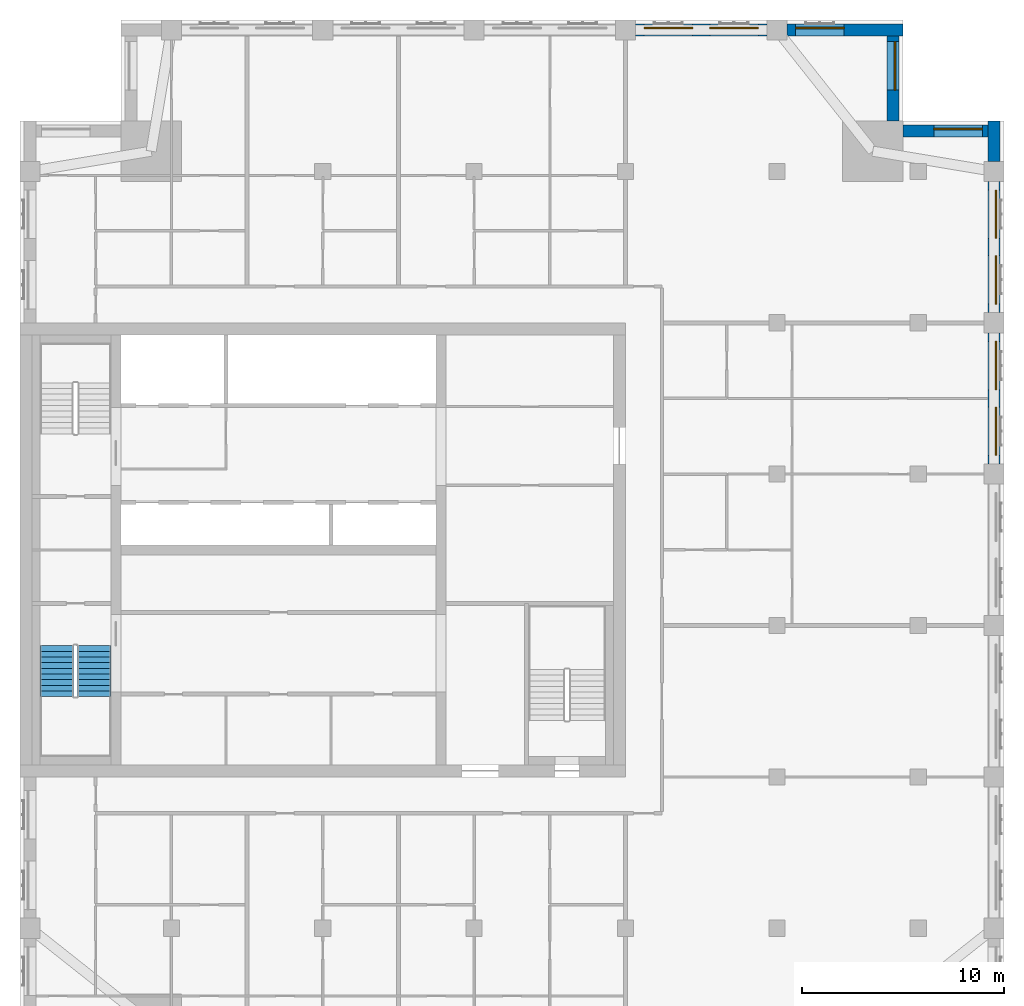
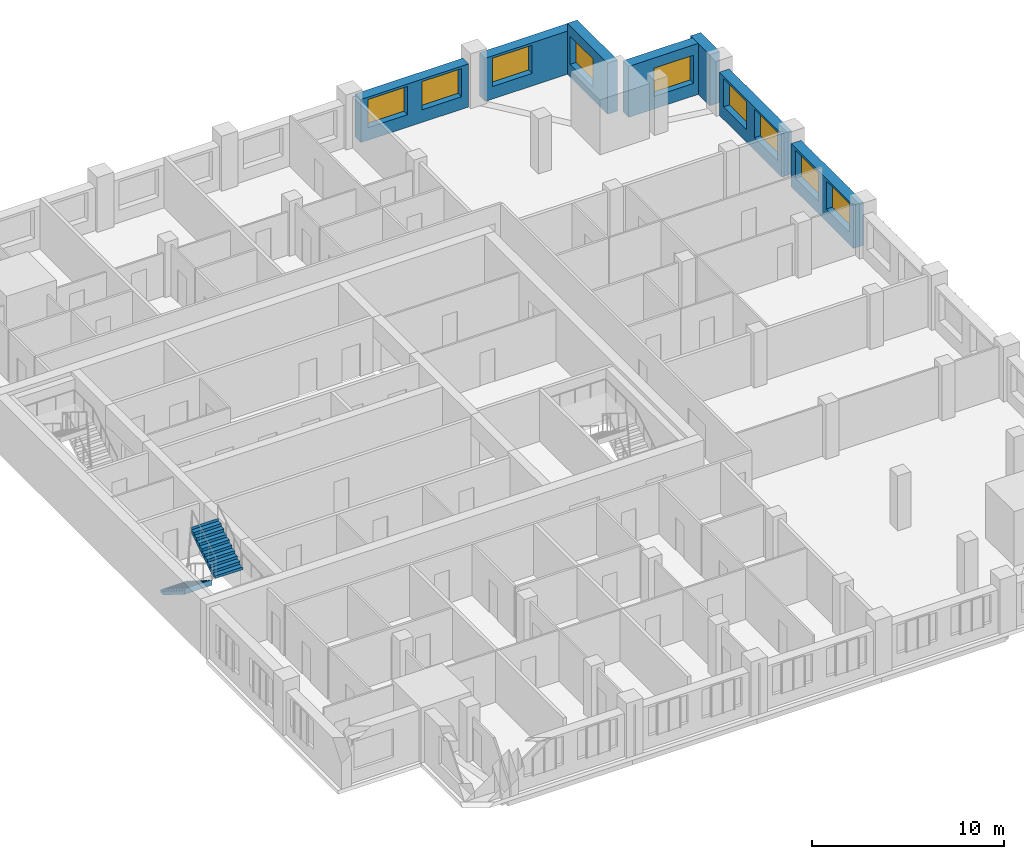
# One storey, part 8 of 10: 9 windows, 7 walls, 2 stair flights, 9 openings, 1 element without a shape of its own.
"""IFC4 building model written with IfcOpenShell, lengths in metres."""

import ifcopenshell
import ifcopenshell.guid

model = None  # the IFC model being written
_history = None  # IfcOwnerHistory: only IFC2X3 demands one
_inside = {}  # id of a spatial element -> (the spatial element, [elements in it])
_under = {}  # id of a project, library or spatial element -> (it, [spatial elements below it])
_declared = {}  # id of a project -> (the project, [libraries it declares])
_typed = {}  # id of a type object -> (the type object, [elements of that type])
_made_of = {}  # id of a material, layer set ... -> (it, [elements and type objects made of it])


def new_model(schema):
    """Start an empty IFC model of exactly this schema.

    Asked for "IFC4X3", IfcOpenShell would pick the latest addendum, in which some entities
    have other attributes; the version numbers below select the first issue.
    IFC2X3 requires an IfcOwnerHistory on every rooted entity: one is made here for all.
    """
    global model, _history
    if schema == "IFC4X3":
        model = ifcopenshell.file(schema_version=(4, 3, 0, 0))
    else:
        model = ifcopenshell.file(schema=schema)
    _inside.clear()
    _under.clear()
    _declared.clear()
    _typed.clear()
    _made_of.clear()
    _history = None
    if model.schema == "IFC2X3":
        org = make("IfcOrganization", Name="unknown")
        user = make(
            "IfcPersonAndOrganization",
            ThePerson=make("IfcPerson", FamilyName="unknown"),
            TheOrganization=org,
        )
        app = make(
            "IfcApplication",
            ApplicationDeveloper=org,
            Version="unknown",
            ApplicationFullName="unknown",
            ApplicationIdentifier="unknown",
        )
        _history = make(
            "IfcOwnerHistory",
            OwningUser=user,
            OwningApplication=app,
            ChangeAction="ADDED",
            CreationDate=0,
        )
    return model


def make(cls, **values):
    """One entity of the class cls with the attributes given. An attribute that is None is left unset."""
    return model.create_entity(
        cls, **{name: value for name, value in values.items() if value is not None}
    )


def rooted(cls, **values):
    """An entity with a GlobalId (a new one), such as an element, a storey or a relation."""
    return make(cls, GlobalId=ifcopenshell.guid.new(), OwnerHistory=_history, **values)


def si_unit(unit_type, name, prefix=None):
    """IfcSIUnit, for example si_unit("LENGTHUNIT", "METRE", prefix="MILLI")."""
    return make("IfcSIUnit", UnitType=unit_type, Prefix=prefix, Name=name)


def assignment(units):
    """IfcUnitAssignment: the units of a project."""
    return None if units is None else make("IfcUnitAssignment", Units=units)


def point(xyz):
    """IfcCartesianPoint."""
    return None if xyz is None else make("IfcCartesianPoint", Coordinates=xyz)


def direction(xyz):
    """IfcDirection."""
    return None if xyz is None else make("IfcDirection", DirectionRatios=xyz)


def frame(location, z_axis=None, x_axis=None):
    """IfcAxis2Placement3D, a coordinate frame: its origin and axes. An axis left out is left unset."""
    return make(
        "IfcAxis2Placement3D",
        Location=point(location),
        Axis=direction(z_axis),
        RefDirection=direction(x_axis),
    )


def frame_2d(location, x_axis=None):
    """IfcAxis2Placement2D, a coordinate frame in the plane: its origin and x axis."""
    return make(
        "IfcAxis2Placement2D", Location=point(location), RefDirection=direction(x_axis)
    )


def origin():
    """The frame at (0, 0, 0) with its axes left unset."""
    return frame((0.0, 0.0, 0.0))


def place(relative_to, where):
    """IfcLocalPlacement: puts the frame where relative to a parent placement (None: the world)."""
    return make(
        "IfcLocalPlacement", PlacementRelTo=relative_to, RelativePlacement=where
    )


def context(
    kind, dimensions, precision=None, world=None, true_north=None, identifier=None
):
    """IfcGeometricRepresentationContext, for example the 3D "Model" context."""
    return make(
        "IfcGeometricRepresentationContext",
        ContextIdentifier=identifier,
        ContextType=kind,
        CoordinateSpaceDimension=dimensions,
        Precision=precision,
        WorldCoordinateSystem=world,
        TrueNorth=true_north,
    )


def subcontext(parent, identifier, kind, view, scale=None):
    """IfcGeometricRepresentationSubContext, for example "Body" below "Model"."""
    return make(
        "IfcGeometricRepresentationSubContext",
        ContextIdentifier=identifier,
        ContextType=kind,
        ParentContext=parent,
        TargetScale=scale,
        TargetView=view,
    )


def project(units=None, contexts=None):
    """IfcProject with its units and contexts."""
    return rooted(
        "IfcProject",
        Name="project",
        RepresentationContexts=contexts,
        UnitsInContext=assignment(units),
    )


def spatial(cls, under=None, at=None, **own):
    """A site, building, storey or space (cls), placed at a placement, below another one or the project."""
    s = rooted(cls, ObjectPlacement=at, **own)
    if under is not None:
        _under.setdefault(under.id(), (under, []))[1].append(s)
    return s


def polyline(points):
    """IfcPolyline through the points."""
    return make("IfcPolyline", Points=[point(p) for p in points])


def profile(cls, at=None, kind="AREA", **sizes):
    """A parametric profile (cls). Its sizes go by their IFC names, for example OverallWidth=200.0."""
    return make(cls, ProfileType=kind, Position=at, **sizes)


def rectangle(**sizes):
    """IfcRectangleProfileDef."""
    return profile("IfcRectangleProfileDef", **sizes)


def outline(outer, holes=None, kind="AREA"):
    """IfcArbitraryClosedProfileDef: a profile drawn as a closed curve; with holes, ...WithVoids."""
    if holes is None:
        return make("IfcArbitraryClosedProfileDef", ProfileType=kind, OuterCurve=outer)
    return make(
        "IfcArbitraryProfileDefWithVoids",
        ProfileType=kind,
        OuterCurve=outer,
        InnerCurves=holes,
    )


def extrude(swept, where, along, depth):
    """IfcExtrudedAreaSolid: the profile swept, set in the frame where, extruded along a direction by depth."""
    return make(
        "IfcExtrudedAreaSolid",
        SweptArea=swept,
        Position=where,
        ExtrudedDirection=direction(along),
        Depth=depth,
    )


def shape(context_of_items, identifier, shape_type, items):
    """IfcShapeRepresentation: the items that make up one representation, for example the "Body"."""
    return make(
        "IfcShapeRepresentation",
        ContextOfItems=context_of_items,
        RepresentationIdentifier=identifier,
        RepresentationType=shape_type,
        Items=items,
    )


def material(Name=None, Category=None):
    """IfcMaterial."""
    return make("IfcMaterial", Name=Name, Category=Category)


def layer(
    of_material, thickness, ventilated=None, Name=None, Category=None, Priority=None
):
    """IfcMaterialLayer: one layer of a wall or slab, of a material (None: an air gap)."""
    return make(
        "IfcMaterialLayer",
        Material=of_material,
        LayerThickness=thickness,
        IsVentilated=ventilated,
        Name=Name,
        Category=Category,
        Priority=Priority,
    )


def layer_set(layers, Name=None):
    """IfcMaterialLayerSet."""
    return make("IfcMaterialLayerSet", MaterialLayers=layers, LayerSetName=Name)


def made_of(thing, what):
    """Note that an element or type object is made of a material, layer set ...; save() writes the relation."""
    if what is not None:
        _made_of.setdefault(what.id(), (what, []))[1].append(thing)
    return thing


def type_object(cls, material=None, **own):
    """A type object (cls), such as IfcWallType, which elements share."""
    return made_of(rooted(cls, **own), material)


def element(
    cls,
    number,
    at=None,
    inside=None,
    cuts=None,
    type_object=None,
    material=None,
    context=None,
    identifier="Body",
    shape_type=None,
    held_by="IfcProductDefinitionShape",
    body=None,
    shapes=None,
    **own,
):
    """One element of the class cls, such as IfcWall. Its Tag is "e" and its number.

    at: its placement. inside: the storey or other place that contains it. cuts: it is an
    opening in that element (IfcRelVoidsElement). A single representation is given by context,
    identifier, shape_type and body (its items); several are given by shapes. held_by: the class
    of the entity that holds the representations. save() writes the other relations.
    """
    e = rooted(cls, Tag="e%d" % number, ObjectPlacement=at, **own)
    if body is not None:
        shapes = [shape(context, identifier, shape_type, body)]
    if shapes is not None:
        e.Representation = make(held_by, Representations=shapes)
    if inside is not None:
        _inside.setdefault(inside.id(), (inside, []))[1].append(e)
    if cuts is not None:
        rooted(
            "IfcRelVoidsElement", RelatingBuildingElement=cuts, RelatedOpeningElement=e
        )
    if type_object is not None:
        _typed.setdefault(type_object.id(), (type_object, []))[1].append(e)
    return made_of(e, material)


def fill(opening, filler):
    """IfcRelFillsElement: the door or window that sits in an opening."""
    return rooted(
        "IfcRelFillsElement",
        RelatingOpeningElement=opening,
        RelatedBuildingElement=filler,
    )


def aggregate(whole, parts):
    """IfcRelAggregates: a whole, such as a stair, and the parts it consists of."""
    return rooted("IfcRelAggregates", RelatingObject=whole, RelatedObjects=parts)


def save(model, path):
    """Write the relations noted so far, then the file.

    IfcRelAggregates (storeys below a building ...), IfcRelContainedInSpatialStructure (elements
    in a storey), IfcRelDefinesByType, IfcRelAssociatesMaterial and IfcRelDeclares: one each for
    every whole, place, type object, material and project.
    """
    for whole, parts in _under.values():
        aggregate(whole, parts)
    for where, things in _inside.values():
        rooted(
            "IfcRelContainedInSpatialStructure",
            RelatedElements=things,
            RelatingStructure=where,
        )
    for kind, things in _typed.values():
        rooted("IfcRelDefinesByType", RelatedObjects=things, RelatingType=kind)
    for what, things in _made_of.values():
        rooted("IfcRelAssociatesMaterial", RelatedObjects=things, RelatingMaterial=what)
    for by, libraries in _declared.values():
        rooted("IfcRelDeclares", RelatingContext=by, RelatedDefinitions=libraries)
    model.write(path)


model = new_model("IFC4")

# Units and contexts
model_context = context("Model", 3, precision=1e-05, world=origin(), true_north=direction((0.0, 1.0)))
body_context = subcontext(model_context, "Body", "Model", "MODEL_VIEW")
ifc_project = project(units=[si_unit("LENGTHUNIT", "METRE"), si_unit("AREAUNIT", "SQUARE_METRE"), si_unit("VOLUMEUNIT", "CUBIC_METRE"), si_unit("PLANEANGLEUNIT", "RADIAN"), si_unit("MASSUNIT", "GRAM", prefix="KILO")], contexts=[model_context])

# Site, building, storey
site_placement = place(None, origin())
site = spatial("IfcSite", under=ifc_project, at=site_placement, CompositionType="ELEMENT")
building_placement = place(site_placement, origin())
building = spatial("IfcBuilding", under=site, at=building_placement, Name="Tamorin Gate", CompositionType="ELEMENT")
storey_placement = place(building_placement, frame((0.0, 0.0, 251.199951171875)))
storey = spatial("IfcBuildingStorey", under=building, at=storey_placement, Name="L63", CompositionType="ELEMENT", Elevation=251.199951171875)

# Wall, openings, windows
ifc_material_1 = material(Name="Precast concrete C40/50", Category="concrete")
ifc_layer = layer(ifc_material_1, 0.60009765625)
ifc_layer_set = layer_set([ifc_layer], Name="Precast concrete C40/50")
wall_type = type_object("IfcWallType", Name="Board-marked concrete facade panel 600", PredefinedType="SOLIDWALL", material=ifc_layer_set)
wall_1_placement = place(storey_placement, frame((78.25, 75.5, 0.0), z_axis=(0.0, 0.0, 1.0), x_axis=(0.0, 1.0, 0.0)))
wall_1 = element("IfcWall", 1, at=wall_1_placement, inside=storey, type_object=wall_type, Name="Facade panel", PredefinedType="SOLIDWALL", context=body_context, shape_type="SweptSolid", body=[
    extrude(rectangle(XDim=6.5, YDim=0.60009765625, at=frame_2d((3.25, 0.0))), origin(), (0.0, 0.0, 1.0), 2.75),
])
opening_1_placement = place(wall_1_placement, frame((0.425048828125, 0.0, 0.800048828125)))
opening_1 = element("IfcOpeningElement", 2, at=opening_1_placement, cuts=wall_1, Name="Opening WN1", PredefinedType="OPENING", context=body_context, shape_type="SweptSolid", body=[
    extrude(rectangle(XDim=2.39990234375, YDim=1.800048828125, at=frame_2d((1.199951171875, 0.89990234375))), frame((0.0, 0.31005859375, 0.0), z_axis=(0.0, -1.0, 0.0), x_axis=(1.0, 0.0, 0.0)), (0.0, 0.0, 1.0), 0.6201171875),
])
opening_2_placement = place(wall_1_placement, frame((3.675048828125, 0.0, 0.800048828125)))
opening_2 = element("IfcOpeningElement", 3, at=opening_2_placement, cuts=wall_1, Name="Opening WN1", PredefinedType="OPENING", context=body_context, shape_type="SweptSolid", body=[
    extrude(rectangle(XDim=2.39990234375, YDim=1.800048828125, at=frame_2d((1.199951171875, 0.89990234375))), frame((0.0, 0.31005859375, 0.0), z_axis=(0.0, -1.0, 0.0), x_axis=(1.0, 0.0, 0.0)), (0.0, 0.0, 1.0), 0.6201171875),
])
ifc_material_2 = material(Name="Clear glass in aluminium frame", Category="aluminium")
window_type = type_object("IfcWindowType", Name="Deep-set window 2400x1800", PartitioningType="SINGLE_PANEL", PredefinedType="WINDOW", material=ifc_material_2)
window_1_placement = place(opening_1_placement, origin())
window_1 = element("IfcWindow", 4, at=window_1_placement, inside=storey, type_object=window_type, Name="Deep-set window", OverallHeight=1.800048828125, OverallWidth=2.39990234375, PartitioningType="SINGLE_PANEL", PredefinedType="WINDOW", context=body_context, shape_type="SweptSolid", body=[
    extrude(rectangle(XDim=2.39990234375, YDim=1.800048828125, at=frame_2d((1.199951171875, 0.89990234375))), frame((0.0, -0.070068359375, 0.0), z_axis=(0.0, -1.0, 0.0), x_axis=(1.0, 0.0, 0.0)), (0.0, 0.0, 1.0), 0.06005859375),
])
fill(opening_1, window_1)
window_2_placement = place(opening_2_placement, origin())
window_2 = element("IfcWindow", 5, at=window_2_placement, inside=storey, type_object=window_type, Name="Deep-set window", OverallHeight=1.800048828125, OverallWidth=2.39990234375, PartitioningType="SINGLE_PANEL", PredefinedType="WINDOW", context=body_context, shape_type="SweptSolid", body=[
    extrude(rectangle(XDim=2.39990234375, YDim=1.800048828125, at=frame_2d((1.199951171875, 0.89990234375))), frame((0.0, -0.070068359375, 0.0), z_axis=(0.0, -1.0, 0.0), x_axis=(1.0, 0.0, 0.0)), (0.0, 0.0, 1.0), 0.06005859375),
])
fill(opening_2, window_2)

wall_2_placement = place(storey_placement, frame((78.25, 83.0, 0.0), z_axis=(0.0, 0.0, 1.0), x_axis=(0.0, 1.0, 0.0)))
wall_2 = element("IfcWall", 6, at=wall_2_placement, inside=storey, type_object=wall_type, Name="Facade panel", PredefinedType="SOLIDWALL", context=body_context, shape_type="SweptSolid", body=[
    extrude(rectangle(XDim=6.5, YDim=0.60009765625, at=frame_2d((3.25, 0.0))), origin(), (0.0, 0.0, 1.0), 2.75),
])
opening_3_placement = place(wall_2_placement, frame((0.425048828125, 0.0, 0.800048828125)))
opening_3 = element("IfcOpeningElement", 7, at=opening_3_placement, cuts=wall_2, Name="Opening WN1", PredefinedType="OPENING", context=body_context, shape_type="SweptSolid", body=[
    extrude(rectangle(XDim=2.39990234375, YDim=1.800048828125, at=frame_2d((1.199951171875, 0.89990234375))), frame((0.0, 0.31005859375, 0.0), z_axis=(0.0, -1.0, 0.0), x_axis=(1.0, 0.0, 0.0)), (0.0, 0.0, 1.0), 0.6201171875),
])
opening_4_placement = place(wall_2_placement, frame((3.675048828125, 0.0, 0.800048828125)))
opening_4 = element("IfcOpeningElement", 8, at=opening_4_placement, cuts=wall_2, Name="Opening WN1", PredefinedType="OPENING", context=body_context, shape_type="SweptSolid", body=[
    extrude(rectangle(XDim=2.39990234375, YDim=1.800048828125, at=frame_2d((1.199951171875, 0.89990234375))), frame((0.0, 0.31005859375, 0.0), z_axis=(0.0, -1.0, 0.0), x_axis=(1.0, 0.0, 0.0)), (0.0, 0.0, 1.0), 0.6201171875),
])
window_3_placement = place(opening_3_placement, origin())
window_3 = element("IfcWindow", 9, at=window_3_placement, inside=storey, type_object=window_type, Name="Deep-set window", OverallHeight=1.800048828125, OverallWidth=2.39990234375, PartitioningType="SINGLE_PANEL", PredefinedType="WINDOW", context=body_context, shape_type="SweptSolid", body=[
    extrude(rectangle(XDim=2.39990234375, YDim=1.800048828125, at=frame_2d((1.199951171875, 0.89990234375))), frame((0.0, -0.070068359375, 0.0), z_axis=(0.0, -1.0, 0.0), x_axis=(1.0, 0.0, 0.0)), (0.0, 0.0, 1.0), 0.06005859375),
])
fill(opening_3, window_3)
window_4_placement = place(opening_4_placement, origin())
window_4 = element("IfcWindow", 10, at=window_4_placement, inside=storey, type_object=window_type, Name="Deep-set window", OverallHeight=1.800048828125, OverallWidth=2.39990234375, PartitioningType="SINGLE_PANEL", PredefinedType="WINDOW", context=body_context, shape_type="SweptSolid", body=[
    extrude(rectangle(XDim=2.39990234375, YDim=1.800048828125, at=frame_2d((1.199951171875, 0.89990234375))), frame((0.0, -0.070068359375, 0.0), z_axis=(0.0, -1.0, 0.0), x_axis=(1.0, 0.0, 0.0)), (0.0, 0.0, 1.0), 0.06005859375),
])
fill(opening_4, window_4)

# Wall
wall_3_placement = place(storey_placement, frame((78.25, 90.5, 0.0), z_axis=(0.0, 0.0, 1.0), x_axis=(0.0, 1.0, 0.0)))
element("IfcWall", 11, at=wall_3_placement, inside=storey, type_object=wall_type, Name="Facade panel", PredefinedType="SOLIDWALL", context=body_context, shape_type="SweptSolid", body=[
    extrude(rectangle(XDim=2.0, YDim=0.60009765625, at=frame_2d((1.0, 0.0))), origin(), (0.0, 0.0, 1.0), 3.25),
])

# Wall, opening, window
wall_4_placement = place(storey_placement, frame((77.949951171875, 92.0, 0.0), z_axis=(0.0, 0.0, 1.0), x_axis=(-1.0, 0.0, 0.0)))
wall_4 = element("IfcWall", 12, at=wall_4_placement, inside=storey, type_object=wall_type, Name="Facade panel", PredefinedType="SOLIDWALL", context=body_context, shape_type="SweptSolid", body=[
    extrude(rectangle(XDim=4.199951171875, YDim=0.60009765625, at=frame_2d((2.10009765625, 0.0))), origin(), (0.0, 0.0, 1.0), 3.25),
])
opening_5_placement = place(wall_4_placement, frame((0.27490234375, 0.0, 0.800048828125)))
opening_5 = element("IfcOpeningElement", 13, at=opening_5_placement, cuts=wall_4, Name="Opening WN1", PredefinedType="OPENING", context=body_context, shape_type="SweptSolid", body=[
    extrude(rectangle(XDim=2.39990234375, YDim=1.800048828125, at=frame_2d((1.199951171875, 0.89990234375))), frame((0.0, 0.31005859375, 0.0), z_axis=(0.0, -1.0, 0.0), x_axis=(1.0, 0.0, 0.0)), (0.0, 0.0, 1.0), 0.6201171875),
])
window_5_placement = place(opening_5_placement, origin())
window_5 = element("IfcWindow", 14, at=window_5_placement, inside=storey, type_object=window_type, Name="Deep-set window", OverallHeight=1.800048828125, OverallWidth=2.39990234375, PartitioningType="SINGLE_PANEL", PredefinedType="WINDOW", context=body_context, shape_type="SweptSolid", body=[
    extrude(rectangle(XDim=2.39990234375, YDim=1.800048828125, at=frame_2d((1.199951171875, 0.89990234375))), frame((0.0, -0.070068359375, 0.0), z_axis=(0.0, -1.0, 0.0), x_axis=(1.0, 0.0, 0.0)), (0.0, 0.0, 1.0), 0.06005859375),
])
fill(opening_5, window_5)

wall_5_placement = place(storey_placement, frame((73.25, 92.5, 0.0), z_axis=(0.0, 0.0, 1.0), x_axis=(0.0, 1.0, 0.0)))
wall_5 = element("IfcWall", 15, at=wall_5_placement, inside=storey, type_object=wall_type, Name="Facade panel", PredefinedType="SOLIDWALL", context=body_context, shape_type="SweptSolid", body=[
    extrude(rectangle(XDim=4.199951171875, YDim=0.60009765625, at=frame_2d((2.10009765625, 0.0))), origin(), (0.0, 0.0, 1.0), 3.25),
])
opening_6_placement = place(wall_5_placement, frame((1.52490234375, 0.0, 0.800048828125)))
opening_6 = element("IfcOpeningElement", 16, at=opening_6_placement, cuts=wall_5, Name="Opening WN1", PredefinedType="OPENING", context=body_context, shape_type="SweptSolid", body=[
    extrude(rectangle(XDim=2.39990234375, YDim=1.800048828125, at=frame_2d((1.199951171875, 0.89990234375))), frame((0.0, 0.31005859375, 0.0), z_axis=(0.0, -1.0, 0.0), x_axis=(1.0, 0.0, 0.0)), (0.0, 0.0, 1.0), 0.6201171875),
])
window_6_placement = place(opening_6_placement, origin())
window_6 = element("IfcWindow", 17, at=window_6_placement, inside=storey, type_object=window_type, Name="Deep-set window", OverallHeight=1.800048828125, OverallWidth=2.39990234375, PartitioningType="SINGLE_PANEL", PredefinedType="WINDOW", context=body_context, shape_type="SweptSolid", body=[
    extrude(rectangle(XDim=2.39990234375, YDim=1.800048828125, at=frame_2d((1.199951171875, 0.89990234375))), frame((0.0, -0.070068359375, 0.0), z_axis=(0.0, -1.0, 0.0), x_axis=(1.0, 0.0, 0.0)), (0.0, 0.0, 1.0), 0.06005859375),
])
fill(opening_6, window_6)

wall_6_placement = place(storey_placement, frame((73.75, 97.0, 0.0), z_axis=(0.0, 0.0, 1.0), x_axis=(-1.0, 0.0, 0.0)))
wall_6 = element("IfcWall", 18, at=wall_6_placement, inside=storey, type_object=wall_type, Name="Facade panel", PredefinedType="SOLIDWALL", context=body_context, shape_type="SweptSolid", body=[
    extrude(rectangle(XDim=5.75, YDim=0.60009765625, at=frame_2d((2.875, 0.0))), origin(), (0.0, 0.0, 1.0), 2.75),
])
opening_7_placement = place(wall_6_placement, frame((2.925048828125, 0.0, 0.800048828125)))
opening_7 = element("IfcOpeningElement", 19, at=opening_7_placement, cuts=wall_6, Name="Opening WN1", PredefinedType="OPENING", context=body_context, shape_type="SweptSolid", body=[
    extrude(rectangle(XDim=2.39990234375, YDim=1.800048828125, at=frame_2d((1.199951171875, 0.89990234375))), frame((0.0, 0.31005859375, 0.0), z_axis=(0.0, -1.0, 0.0), x_axis=(1.0, 0.0, 0.0)), (0.0, 0.0, 1.0), 0.6201171875),
])
window_7_placement = place(opening_7_placement, origin())
window_7 = element("IfcWindow", 20, at=window_7_placement, inside=storey, type_object=window_type, Name="Deep-set window", OverallHeight=1.800048828125, OverallWidth=2.39990234375, PartitioningType="SINGLE_PANEL", PredefinedType="WINDOW", context=body_context, shape_type="SweptSolid", body=[
    extrude(rectangle(XDim=2.39990234375, YDim=1.800048828125, at=frame_2d((1.199951171875, 0.89990234375))), frame((0.0, -0.070068359375, 0.0), z_axis=(0.0, -1.0, 0.0), x_axis=(1.0, 0.0, 0.0)), (0.0, 0.0, 1.0), 0.06005859375),
])
fill(opening_7, window_7)

# Wall, openings, windows
wall_7_placement = place(storey_placement, frame((67.0, 97.0, 0.0), z_axis=(0.0, 0.0, 1.0), x_axis=(-1.0, 0.0, 0.0)))
wall_7 = element("IfcWall", 21, at=wall_7_placement, inside=storey, type_object=wall_type, Name="Facade panel", PredefinedType="SOLIDWALL", context=body_context, shape_type="SweptSolid", body=[
    extrude(rectangle(XDim=6.5, YDim=0.60009765625, at=frame_2d((3.25, 0.0))), origin(), (0.0, 0.0, 1.0), 2.75),
])
opening_8_placement = place(wall_7_placement, frame((3.675048828125, 0.0, 0.800048828125)))
opening_8 = element("IfcOpeningElement", 22, at=opening_8_placement, cuts=wall_7, Name="Opening WN1", PredefinedType="OPENING", context=body_context, shape_type="SweptSolid", body=[
    extrude(rectangle(XDim=2.39990234375, YDim=1.800048828125, at=frame_2d((1.199951171875, 0.89990234375))), frame((0.0, 0.31005859375, 0.0), z_axis=(0.0, -1.0, 0.0), x_axis=(1.0, 0.0, 0.0)), (0.0, 0.0, 1.0), 0.6201171875),
])
opening_9_placement = place(wall_7_placement, frame((0.425048828125, 0.0, 0.800048828125)))
opening_9 = element("IfcOpeningElement", 23, at=opening_9_placement, cuts=wall_7, Name="Opening WN1", PredefinedType="OPENING", context=body_context, shape_type="SweptSolid", body=[
    extrude(rectangle(XDim=2.39990234375, YDim=1.800048828125, at=frame_2d((1.199951171875, 0.89990234375))), frame((0.0, 0.31005859375, 0.0), z_axis=(0.0, -1.0, 0.0), x_axis=(1.0, 0.0, 0.0)), (0.0, 0.0, 1.0), 0.6201171875),
])
window_8_placement = place(opening_8_placement, origin())
window_8 = element("IfcWindow", 24, at=window_8_placement, inside=storey, type_object=window_type, Name="Deep-set window", OverallHeight=1.800048828125, OverallWidth=2.39990234375, PartitioningType="SINGLE_PANEL", PredefinedType="WINDOW", context=body_context, shape_type="SweptSolid", body=[
    extrude(rectangle(XDim=2.39990234375, YDim=1.800048828125, at=frame_2d((1.199951171875, 0.89990234375))), frame((0.0, -0.070068359375, 0.0), z_axis=(0.0, -1.0, 0.0), x_axis=(1.0, 0.0, 0.0)), (0.0, 0.0, 1.0), 0.06005859375),
])
fill(opening_8, window_8)
window_9_placement = place(opening_9_placement, origin())
window_9 = element("IfcWindow", 25, at=window_9_placement, inside=storey, type_object=window_type, Name="Deep-set window", OverallHeight=1.800048828125, OverallWidth=2.39990234375, PartitioningType="SINGLE_PANEL", PredefinedType="WINDOW", context=body_context, shape_type="SweptSolid", body=[
    extrude(rectangle(XDim=2.39990234375, YDim=1.800048828125, at=frame_2d((1.199951171875, 0.89990234375))), frame((0.0, -0.070068359375, 0.0), z_axis=(0.0, -1.0, 0.0), x_axis=(1.0, 0.0, 0.0)), (0.0, 0.0, 1.0), 0.06005859375),
])
fill(opening_9, window_9)

# Stair, stair flights
ifc_material_3 = material(Name="Concrete C40/50", Category="concrete")
stair_type = type_object("IfcStairType", Name="Exit stair", PredefinedType="HALF_TURN_STAIR", material=ifc_material_3)
stair_placement = place(storey_placement, origin())
stair = element("IfcStair", 26, at=stair_placement, inside=storey, type_object=stair_type, Name="L63 stair ST1", PredefinedType="HALF_TURN_STAIR")
stair_flight_type = type_object("IfcStairFlightType", Name="Exit stair flight", PredefinedType="STRAIGHT", material=ifc_material_3)
stair_flight_1_placement = place(storey_placement, frame((31.824951171875, 66.5, 0.0), z_axis=(0.0, 0.0, 1.0), x_axis=(0.0, -1.0, 0.0)))
stair_flight_1 = element("IfcStairFlight", 27, at=stair_flight_1_placement, type_object=stair_flight_type, Name="ST1 flight 1", NumberOfRisers=10, NumberOfTreads=9, PredefinedType="STRAIGHT", RiserHeight=0.175, TreadLength=0.28, context=body_context, shape_type="SweptSolid", body=[
    extrude(outline(polyline([(-0.00048828125, 0.0), (-0.00048828125, 0.001708984375), (-0.00048828125, 0.00341796875), (-0.00048828125, 0.005126953125), (-0.00048828125, 0.0068359375), (-0.00048828125, 0.008544921875), (-0.00048828125, 0.010498046875), (-0.00048828125, 0.01220703125), (-0.00048828125, 0.013916015625), (-0.00048828125, 0.015625), (-0.00048828125, 0.017333984375), (-0.00048828125, 0.01904296875), (-0.00048828125, 0.020751953125), (-0.00048828125, 0.0224609375), (-0.00048828125, 0.024169921875), (-0.00048828125, 0.02587890625), (-0.00048828125, 0.02783203125), (-0.00048828125, 0.029541015625), (-0.00048828125, 0.03125), (-0.00048828125, 0.032958984375), (-0.00048828125, 0.03466796875), (-0.00048828125, 0.036376953125), (-0.00048828125, 0.0380859375), (-0.00048828125, 0.039794921875), (-0.00048828125, 0.04150390625), (-0.00048828125, 0.043212890625), (-0.00048828125, 0.045166015625), (-0.00048828125, 0.046875), (-0.00048828125, 0.048583984375), (-0.00048828125, 0.05029296875), (-0.00048828125, 0.052001953125), (-0.00048828125, 0.0537109375), (-0.00048828125, 0.055419921875), (-0.00048828125, 0.05712890625), (-0.00048828125, 0.058837890625), (-0.00048828125, 0.060546875), (-0.00048828125, 0.062255859375), (-0.00048828125, 0.064208984375), (-0.00048828125, 0.06591796875), (-0.00048828125, 0.067626953125), (-0.00048828125, 0.0693359375), (-0.00048828125, 0.071044921875), (-0.00048828125, 0.07275390625), (-0.00048828125, 0.074462890625), (-0.00048828125, 0.076171875), (-0.00048828125, 0.077880859375), (-0.00048828125, 0.07958984375), (-0.00048828125, 0.08154296875), (-0.00048828125, 0.083251953125), (-0.00048828125, 0.0849609375), (-0.00048828125, 0.086669921875), (-0.00048828125, 0.08837890625), (-0.00048828125, 0.090087890625), (-0.00048828125, 0.091796875), (-0.00048828125, 0.093505859375), (-0.00048828125, 0.09521484375), (-0.00048828125, 0.096923828125), (-0.00048828125, 0.098876953125), (-0.00048828125, 0.1005859375), (-0.00048828125, 0.102294921875), (-0.00048828125, 0.10400390625), (-0.00048828125, 0.105712890625), (-0.00048828125, 0.107421875), (-0.00048828125, 0.109130859375), (-0.00048828125, 0.11083984375), (-0.00048828125, 0.112548828125), (-0.00048828125, 0.1142578125), (-0.00048828125, 0.1162109375), (-0.00048828125, 0.117919921875), (-0.00048828125, 0.11962890625), (-0.00048828125, 0.121337890625), (-0.00048828125, 0.123046875), (-0.00048828125, 0.124755859375), (-0.00048828125, 0.12646484375), (-0.00048828125, 0.128173828125), (-0.00048828125, 0.1298828125), (-0.00048828125, 0.131591796875), (-0.00048828125, 0.13330078125), (-0.00048828125, 0.13525390625), (-0.00048828125, 0.136962890625), (-0.00048828125, 0.138671875), (-0.00048828125, 0.140380859375), (-0.00048828125, 0.14208984375), (-0.00048828125, 0.143798828125), (-0.00048828125, 0.1455078125), (-0.00048828125, 0.147216796875), (-0.00048828125, 0.14892578125), (-0.00048828125, 0.150634765625), (-0.00048828125, 0.152587890625), (-0.00048828125, 0.154296875), (-0.00048828125, 0.156005859375), (-0.00048828125, 0.15771484375), (-0.00048828125, 0.159423828125), (-0.00048828125, 0.1611328125), (-0.00048828125, 0.162841796875), (-0.00048828125, 0.16455078125), (-0.00048828125, 0.166259765625), (-0.00048828125, 0.16796875), (-0.00048828125, 0.169921875), (-0.00048828125, 0.171630859375), (-0.00048828125, 0.17333984375), (-0.00048828125, 0.175048828125), (0.280029296875, 0.175048828125), (0.280029296875, 0.35009765625), (0.56005859375, 0.35009765625), (0.56005859375, 0.52490234375), (0.840087890625, 0.52490234375), (0.840087890625, 0.699951171875), (1.1201171875, 0.699951171875), (1.1201171875, 0.875), (1.39990234375, 0.875), (1.39990234375, 1.050048828125), (1.679931640625, 1.050048828125), (1.679931640625, 1.22509765625), (1.9599609375, 1.22509765625), (1.9599609375, 1.39990234375), (2.239990234375, 1.39990234375), (2.239990234375, 1.574951171875), (2.52001953125, 1.574951171875), (2.52001953125, 1.75), (2.5205078125, 1.75), (2.5205078125, 1.74658203125), (2.5205078125, 1.742919921875), (2.5205078125, 1.739501953125), (2.5205078125, 1.736083984375), (2.5205078125, 1.732666015625), (2.5205078125, 1.72900390625), (2.5205078125, 1.7255859375), (2.5205078125, 1.72216796875), (2.5205078125, 1.71875), (2.5205078125, 1.715087890625), (2.5205078125, 1.711669921875), (2.5205078125, 1.708251953125), (2.5205078125, 1.704833984375), (2.5205078125, 1.701171875), (2.5205078125, 1.69775390625), (2.5205078125, 1.6943359375), (2.5205078125, 1.690673828125), (2.5205078125, 1.687255859375), (2.5205078125, 1.683837890625), (2.5205078125, 1.680419921875), (2.5205078125, 1.6767578125), (2.5205078125, 1.67333984375), (2.5205078125, 1.669921875), (2.5205078125, 1.66650390625), (2.5205078125, 1.662841796875), (2.5205078125, 1.659423828125), (2.5205078125, 1.656005859375), (2.5205078125, 1.652587890625), (2.5205078125, 1.64892578125), (2.5205078125, 1.6455078125), (2.5205078125, 1.64208984375), (2.5205078125, 1.638427734375), (2.5205078125, 1.635009765625), (2.5205078125, 1.631591796875), (2.5205078125, 1.628173828125), (2.5205078125, 1.62451171875), (2.5205078125, 1.62109375), (2.5205078125, 1.61767578125), (2.5205078125, 1.6142578125), (2.5205078125, 1.610595703125), (2.5205078125, 1.607177734375), (2.5205078125, 1.603759765625), (2.5205078125, 1.600341796875), (2.5205078125, 1.5966796875), (2.5205078125, 1.59326171875), (2.5205078125, 1.58984375), (2.5205078125, 1.58642578125), (2.5205078125, 1.582763671875), (2.5205078125, 1.579345703125), (2.5205078125, 1.575927734375), (2.5205078125, 1.572265625), (2.5205078125, 1.56884765625), (2.5205078125, 1.5654296875), (2.5205078125, 1.56201171875), (2.5205078125, 1.558349609375), (2.5205078125, 1.554931640625), (2.5205078125, 1.551513671875), (2.5205078125, 1.548095703125), (2.5205078125, 1.54443359375), (2.5205078125, 1.541015625), (2.5205078125, 1.53759765625), (2.5205078125, 1.5341796875), (2.5205078125, 1.530517578125), (2.5205078125, 1.527099609375), (2.5205078125, 1.523681640625), (2.5205078125, 1.52001953125), (2.5205078125, 1.5166015625), (2.5205078125, 1.51318359375), (2.5205078125, 1.509765625), (2.5205078125, 1.506103515625), (2.5205078125, 1.502685546875), (2.5205078125, 1.499267578125), (2.5205078125, 1.495849609375), (2.5205078125, 1.4921875), (2.5205078125, 1.48876953125), (2.5205078125, 1.4853515625), (2.5205078125, 1.48193359375), (2.5205078125, 1.478271484375), (2.5205078125, 1.474853515625), (2.5205078125, 1.471435546875), (2.5205078125, 1.4677734375), (2.5205078125, 1.46435546875), (2.5205078125, 1.4609375), (2.5205078125, 1.45751953125), (2.5205078125, 1.453857421875), (2.5205078125, 1.450439453125), (2.5205078125, 1.447021484375), (2.5205078125, 1.443603515625), (2.5205078125, 1.43994140625), (2.5205078125, 1.4365234375), (2.5205078125, 1.43310546875), (2.5205078125, 1.4296875), (2.5205078125, 1.426025390625), (2.5205078125, 1.422607421875), (2.5205078125, 1.419189453125), (2.5205078125, 1.41552734375), (2.5205078125, 1.412109375), (2.5205078125, 1.40869140625), (2.5205078125, 1.4052734375), (2.5205078125, 1.401611328125), (2.5205078125, 1.398193359375), (2.52001953125, 1.398193359375), (0.28271484375, 0.0), (-0.00048828125, 0.0)])), frame((0.0, 0.824951171875, 0.0), z_axis=(0.0, -1.0, 0.0), x_axis=(1.0, 0.0, 0.0)), (0.0, 0.0, 1.0), 1.64990234375),
])
stair_flight_2_placement = place(storey_placement, frame((33.675048828125, 63.97998046875, 1.75), z_axis=(0.0, 0.0, 1.0), x_axis=(0.0, 1.0, 0.0)))
stair_flight_2 = element("IfcStairFlight", 28, at=stair_flight_2_placement, type_object=stair_flight_type, Name="ST1 flight 2", NumberOfRisers=10, NumberOfTreads=9, PredefinedType="STRAIGHT", RiserHeight=0.175, TreadLength=0.28, context=body_context, shape_type="SweptSolid", body=[
    extrude(outline(polyline([(-0.00048828125, 0.0), (-0.00048828125, 0.001708984375), (-0.00048828125, 0.00341796875), (-0.00048828125, 0.005126953125), (-0.00048828125, 0.0068359375), (-0.00048828125, 0.008544921875), (-0.00048828125, 0.010498046875), (-0.00048828125, 0.01220703125), (-0.00048828125, 0.013916015625), (-0.00048828125, 0.015625), (-0.00048828125, 0.017333984375), (-0.00048828125, 0.01904296875), (-0.00048828125, 0.020751953125), (-0.00048828125, 0.0224609375), (-0.00048828125, 0.024169921875), (-0.00048828125, 0.02587890625), (-0.00048828125, 0.02783203125), (-0.00048828125, 0.029541015625), (-0.00048828125, 0.03125), (-0.00048828125, 0.032958984375), (-0.00048828125, 0.03466796875), (-0.00048828125, 0.036376953125), (-0.00048828125, 0.0380859375), (-0.00048828125, 0.039794921875), (-0.00048828125, 0.04150390625), (-0.00048828125, 0.043212890625), (-0.00048828125, 0.045166015625), (-0.00048828125, 0.046875), (-0.00048828125, 0.048583984375), (-0.00048828125, 0.05029296875), (-0.00048828125, 0.052001953125), (-0.00048828125, 0.0537109375), (-0.00048828125, 0.055419921875), (-0.00048828125, 0.05712890625), (-0.00048828125, 0.058837890625), (-0.00048828125, 0.060546875), (-0.00048828125, 0.062255859375), (-0.00048828125, 0.064208984375), (-0.00048828125, 0.06591796875), (-0.00048828125, 0.067626953125), (-0.00048828125, 0.0693359375), (-0.00048828125, 0.071044921875), (-0.00048828125, 0.07275390625), (-0.00048828125, 0.074462890625), (-0.00048828125, 0.076171875), (-0.00048828125, 0.077880859375), (-0.00048828125, 0.07958984375), (-0.00048828125, 0.08154296875), (-0.00048828125, 0.083251953125), (-0.00048828125, 0.0849609375), (-0.00048828125, 0.086669921875), (-0.00048828125, 0.08837890625), (-0.00048828125, 0.090087890625), (-0.00048828125, 0.091796875), (-0.00048828125, 0.093505859375), (-0.00048828125, 0.09521484375), (-0.00048828125, 0.096923828125), (-0.00048828125, 0.098876953125), (-0.00048828125, 0.1005859375), (-0.00048828125, 0.102294921875), (-0.00048828125, 0.10400390625), (-0.00048828125, 0.105712890625), (-0.00048828125, 0.107421875), (-0.00048828125, 0.109130859375), (-0.00048828125, 0.11083984375), (-0.00048828125, 0.112548828125), (-0.00048828125, 0.1142578125), (-0.00048828125, 0.1162109375), (-0.00048828125, 0.117919921875), (-0.00048828125, 0.11962890625), (-0.00048828125, 0.121337890625), (-0.00048828125, 0.123046875), (-0.00048828125, 0.124755859375), (-0.00048828125, 0.12646484375), (-0.00048828125, 0.128173828125), (-0.00048828125, 0.1298828125), (-0.00048828125, 0.131591796875), (-0.00048828125, 0.13330078125), (-0.00048828125, 0.13525390625), (-0.00048828125, 0.136962890625), (-0.00048828125, 0.138671875), (-0.00048828125, 0.140380859375), (-0.00048828125, 0.14208984375), (-0.00048828125, 0.143798828125), (-0.00048828125, 0.1455078125), (-0.00048828125, 0.147216796875), (-0.00048828125, 0.14892578125), (-0.00048828125, 0.150634765625), (-0.00048828125, 0.152587890625), (-0.00048828125, 0.154296875), (-0.00048828125, 0.156005859375), (-0.00048828125, 0.15771484375), (-0.00048828125, 0.159423828125), (-0.00048828125, 0.1611328125), (-0.00048828125, 0.162841796875), (-0.00048828125, 0.16455078125), (-0.00048828125, 0.166259765625), (-0.00048828125, 0.16796875), (-0.00048828125, 0.169921875), (-0.00048828125, 0.171630859375), (-0.00048828125, 0.17333984375), (-0.00048828125, 0.175048828125), (0.280029296875, 0.175048828125), (0.280029296875, 0.35009765625), (0.56005859375, 0.35009765625), (0.56005859375, 0.52490234375), (0.840087890625, 0.52490234375), (0.840087890625, 0.699951171875), (1.1201171875, 0.699951171875), (1.1201171875, 0.875), (1.39990234375, 0.875), (1.39990234375, 1.050048828125), (1.679931640625, 1.050048828125), (1.679931640625, 1.22509765625), (1.9599609375, 1.22509765625), (1.9599609375, 1.39990234375), (2.239990234375, 1.39990234375), (2.239990234375, 1.574951171875), (2.52001953125, 1.574951171875), (2.52001953125, 1.75), (2.5205078125, 1.75), (2.5205078125, 1.74658203125), (2.5205078125, 1.742919921875), (2.5205078125, 1.739501953125), (2.5205078125, 1.736083984375), (2.5205078125, 1.732666015625), (2.5205078125, 1.72900390625), (2.5205078125, 1.7255859375), (2.5205078125, 1.72216796875), (2.5205078125, 1.71875), (2.5205078125, 1.715087890625), (2.5205078125, 1.711669921875), (2.5205078125, 1.708251953125), (2.5205078125, 1.704833984375), (2.5205078125, 1.701171875), (2.5205078125, 1.69775390625), (2.5205078125, 1.6943359375), (2.5205078125, 1.690673828125), (2.5205078125, 1.687255859375), (2.5205078125, 1.683837890625), (2.5205078125, 1.680419921875), (2.5205078125, 1.6767578125), (2.5205078125, 1.67333984375), (2.5205078125, 1.669921875), (2.5205078125, 1.66650390625), (2.5205078125, 1.662841796875), (2.5205078125, 1.659423828125), (2.5205078125, 1.656005859375), (2.5205078125, 1.652587890625), (2.5205078125, 1.64892578125), (2.5205078125, 1.6455078125), (2.5205078125, 1.64208984375), (2.5205078125, 1.638427734375), (2.5205078125, 1.635009765625), (2.5205078125, 1.631591796875), (2.5205078125, 1.628173828125), (2.5205078125, 1.62451171875), (2.5205078125, 1.62109375), (2.5205078125, 1.61767578125), (2.5205078125, 1.6142578125), (2.5205078125, 1.610595703125), (2.5205078125, 1.607177734375), (2.5205078125, 1.603759765625), (2.5205078125, 1.600341796875), (2.5205078125, 1.5966796875), (2.5205078125, 1.59326171875), (2.5205078125, 1.58984375), (2.5205078125, 1.58642578125), (2.5205078125, 1.582763671875), (2.5205078125, 1.579345703125), (2.5205078125, 1.575927734375), (2.5205078125, 1.572265625), (2.5205078125, 1.56884765625), (2.5205078125, 1.5654296875), (2.5205078125, 1.56201171875), (2.5205078125, 1.558349609375), (2.5205078125, 1.554931640625), (2.5205078125, 1.551513671875), (2.5205078125, 1.548095703125), (2.5205078125, 1.54443359375), (2.5205078125, 1.541015625), (2.5205078125, 1.53759765625), (2.5205078125, 1.5341796875), (2.5205078125, 1.530517578125), (2.5205078125, 1.527099609375), (2.5205078125, 1.523681640625), (2.5205078125, 1.52001953125), (2.5205078125, 1.5166015625), (2.5205078125, 1.51318359375), (2.5205078125, 1.509765625), (2.5205078125, 1.506103515625), (2.5205078125, 1.502685546875), (2.5205078125, 1.499267578125), (2.5205078125, 1.495849609375), (2.5205078125, 1.4921875), (2.5205078125, 1.48876953125), (2.5205078125, 1.4853515625), (2.5205078125, 1.48193359375), (2.5205078125, 1.478271484375), (2.5205078125, 1.474853515625), (2.5205078125, 1.471435546875), (2.5205078125, 1.4677734375), (2.5205078125, 1.46435546875), (2.5205078125, 1.4609375), (2.5205078125, 1.45751953125), (2.5205078125, 1.453857421875), (2.5205078125, 1.450439453125), (2.5205078125, 1.447021484375), (2.5205078125, 1.443603515625), (2.5205078125, 1.43994140625), (2.5205078125, 1.4365234375), (2.5205078125, 1.43310546875), (2.5205078125, 1.4296875), (2.5205078125, 1.426025390625), (2.5205078125, 1.422607421875), (2.5205078125, 1.419189453125), (2.5205078125, 1.41552734375), (2.5205078125, 1.412109375), (2.5205078125, 1.40869140625), (2.5205078125, 1.4052734375), (2.5205078125, 1.401611328125), (2.5205078125, 1.398193359375), (2.52001953125, 1.398193359375), (0.28271484375, 0.0), (-0.00048828125, 0.0)])), frame((0.0, 0.824951171875, 0.0), z_axis=(0.0, -1.0, 0.0), x_axis=(1.0, 0.0, 0.0)), (0.0, 0.0, 1.0), 1.64990234375),
])
aggregate(stair, [stair_flight_1, stair_flight_2])

save(model, "model.ifc")
